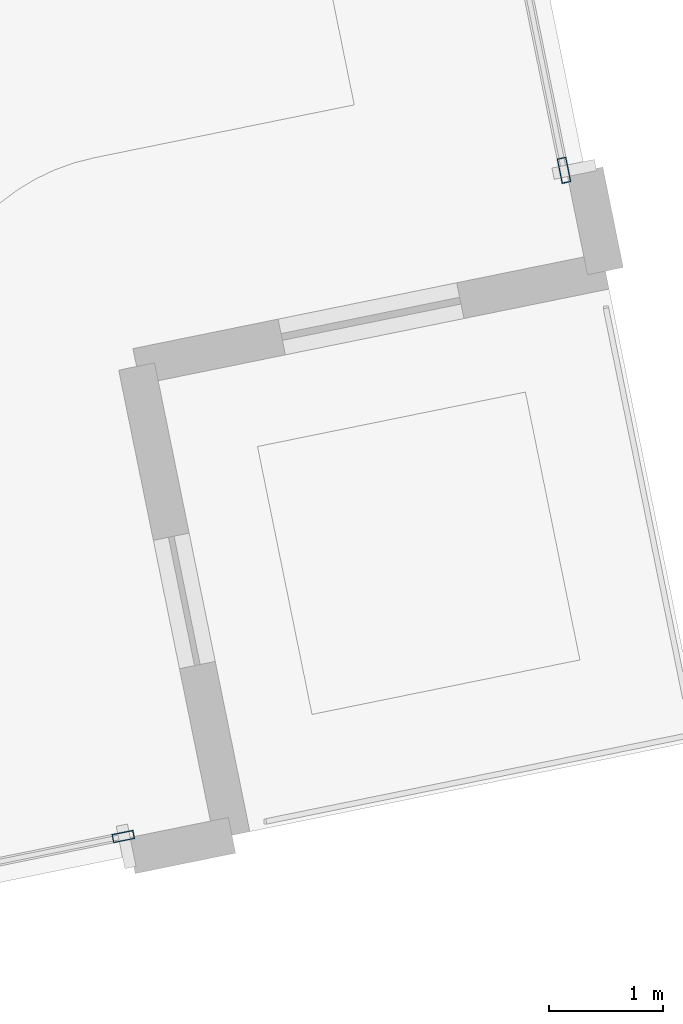
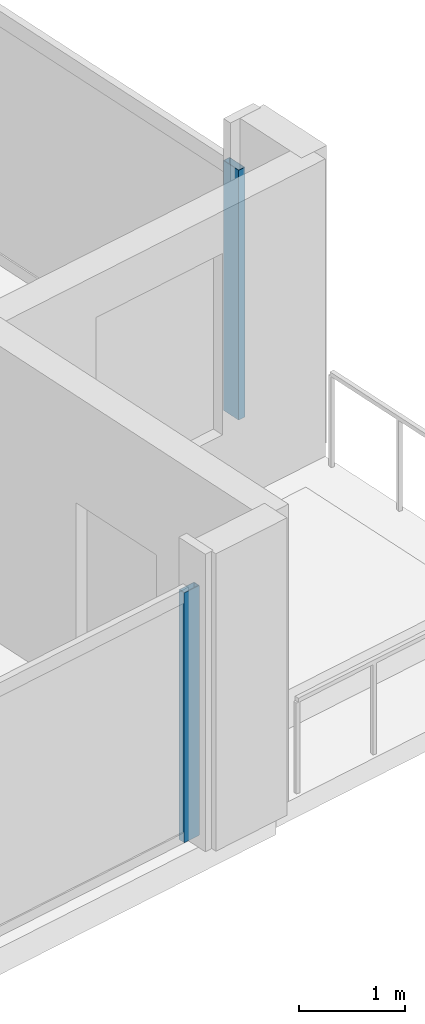
# One storey, part 10 of 33: 2 members, 2 elements without a shape of their own.
"""IFC4 building model written with IfcOpenShell, lengths in metres."""

from ifc_helpers import new_model, si_unit, direction, frame, origin, origin_2d, place, context, subcontext, project, spatial, hollow_rectangle, extrude, material, material_profile, profile_set, type_object, element, aggregate, save


model = new_model("IFC4")

# Units and contexts
model_context = context("Model", 3, precision=1e-05, world=origin(), true_north=direction((0.0, 1.0)))
body_context = subcontext(model_context, "Body", "Model", "MODEL_VIEW")
ifc_project = project(units=[si_unit("LENGTHUNIT", "METRE"), si_unit("AREAUNIT", "SQUARE_METRE"), si_unit("VOLUMEUNIT", "CUBIC_METRE"), si_unit("PLANEANGLEUNIT", "RADIAN"), si_unit("MASSUNIT", "GRAM", prefix="KILO")], contexts=[model_context])

# Site, building, storey
site_placement = place(None, origin())
site = spatial("IfcSite", under=ifc_project, at=site_placement, CompositionType="ELEMENT")
building_placement = place(site_placement, origin())
building = spatial("IfcBuilding", under=site, at=building_placement, Name="Haldenkirk Collegiate Tower", CompositionType="ELEMENT")
storey_placement = place(building_placement, frame((0.0, 0.0, 66.449951171875)))
storey = spatial("IfcBuildingStorey", under=building, at=storey_placement, Name="L15", CompositionType="ELEMENT", Elevation=66.449951171875)

# Curtain wall, member
ifc_material = material(Name="Anodised architectural bronze aluminium", Category="aluminium")
curtain_wall_type_1 = type_object("IfcCurtainWallType", Name="CW-SYS2-CONCAVE", PredefinedType="USERDEFINED", material=ifc_material)
curtain_wall_1_placement = place(storey_placement, origin())
curtain_wall_1 = element("IfcCurtainWall", 1, at=curtain_wall_1_placement, inside=storey, type_object=curtain_wall_type_1, Name="L15 South concave recessed bronze-anodised curtain wall", ObjectType="UNITISED CURTAIN WALL", PredefinedType="USERDEFINED")
ifc_material_profile_1 = material_profile(ifc_material, hollow_rectangle(XDim=0.074951171875, YDim=0.18994140625, WallThickness=0.0048828125, at=origin_2d()), Name="CW-MUL-02")
ifc_profile_set_1 = profile_set([ifc_material_profile_1], Name="Anodised architectural bronze aluminium")
member_type_1 = type_object("IfcMemberType", Name="CW-MUL-02", PredefinedType="MULLION", material=ifc_profile_set_1)
member_1_placement = place(storey_placement, frame((61.994140625, 6.138671875, 0.0), z_axis=(0.0, 0.0, 1.0), x_axis=(0.199368665738, -0.979924555832, 0.0)))
member_1 = element("IfcMember", 2, at=member_1_placement, type_object=member_type_1, Name="CW-02 mullion 1", PredefinedType="MULLION", context=body_context, shape_type="SweptSolid", body=[
    extrude(hollow_rectangle(XDim=0.074951171875, YDim=0.18994140625, WallThickness=0.0048828125, at=origin_2d()), origin(), (0.0, 0.0, 1.0), 2.89111328125),
])
aggregate(curtain_wall_1, [member_1])

curtain_wall_type_2 = type_object("IfcCurtainWallType", Name="CW-SYS1-CONVEX-LOW", PredefinedType="USERDEFINED", material=ifc_material)
curtain_wall_2_placement = place(storey_placement, origin())
curtain_wall_2 = element("IfcCurtainWall", 3, at=curtain_wall_2_placement, inside=storey, type_object=curtain_wall_type_2, Name="L15 Lower tower convex bronze-framed unitised curtain wall", ObjectType="UNITISED CURTAIN WALL", PredefinedType="USERDEFINED")
ifc_material_profile_2 = material_profile(ifc_material, hollow_rectangle(XDim=0.080078125, YDim=0.219970703125, WallThickness=0.0048828125, at=origin_2d()), Name="CW-MUL-1A")
ifc_profile_set_2 = profile_set([ifc_material_profile_2], Name="Anodised architectural bronze aluminium")
member_type_2 = type_object("IfcMemberType", Name="CW-MUL-1A", PredefinedType="MULLION", material=ifc_profile_set_2)
member_2_placement = place(storey_placement, frame((65.86328125, 11.9873046875, 0.0), z_axis=(0.0, 0.0, 1.0), x_axis=(0.979924462932, 0.199369122351, 0.0)))
member_2 = element("IfcMember", 4, at=member_2_placement, type_object=member_type_2, Name="CW-1A mullion 5", PredefinedType="MULLION", context=body_context, shape_type="SweptSolid", body=[
    extrude(hollow_rectangle(XDim=0.080078125, YDim=0.219970703125, WallThickness=0.0048828125, at=origin_2d()), origin(), (0.0, 0.0, 1.0), 2.89111328125),
])
aggregate(curtain_wall_2, [member_2])

save(model, "model.ifc")
